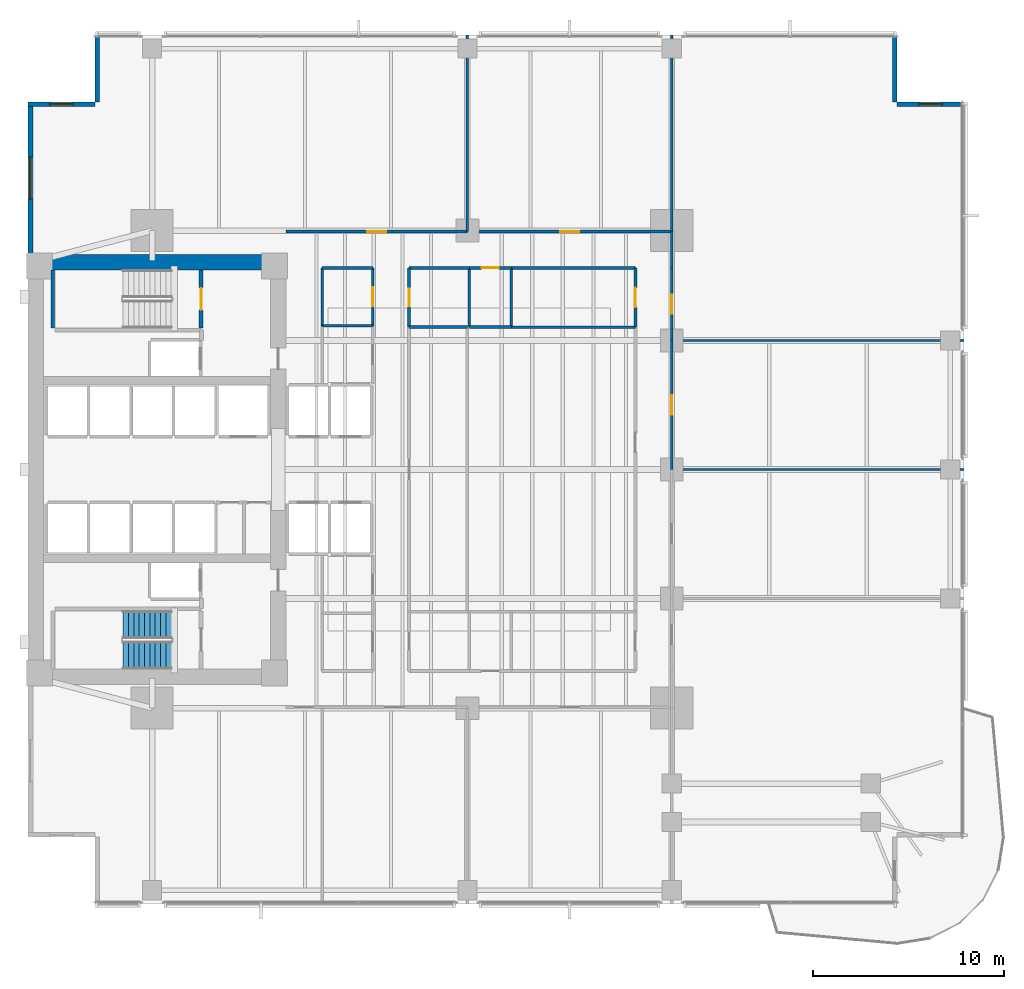
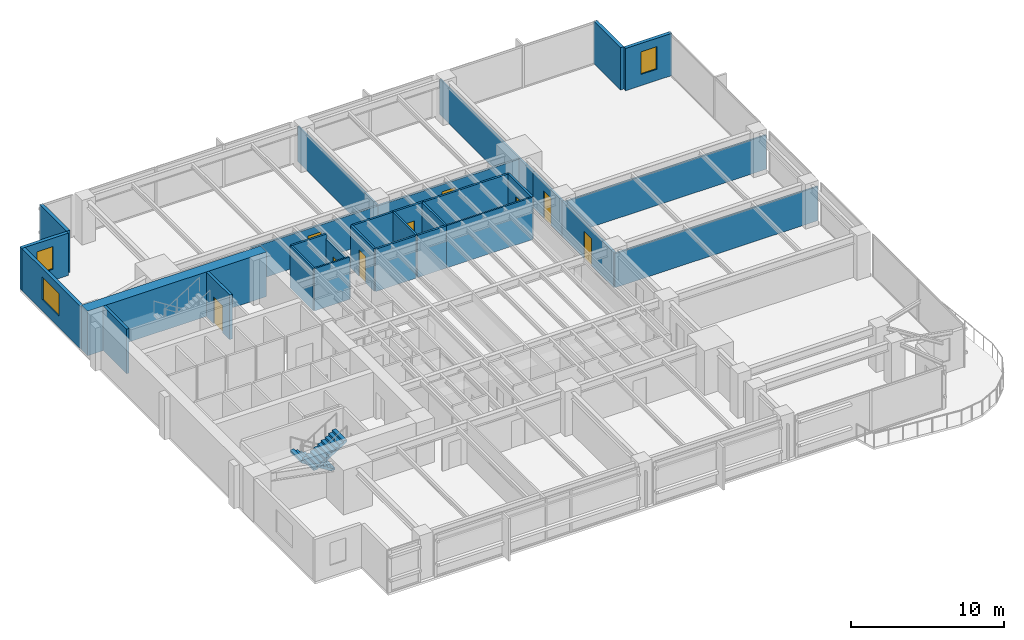
# One storey, part 10 of 15: 31 walls, 9 doors, 3 windows, 2 stair flights, 12 openings, 1 element without a shape of its own.
"""IFC4 building model written with IfcOpenShell, lengths in metres."""

from ifc_helpers import new_model, si_unit, direction, frame, frame_2d, origin, place, context, subcontext, project, spatial, polyline, rectangle, outline, extrude, material, layer, layer_set, type_object, element, fill, aggregate, save


model = new_model("IFC4")

# Units and contexts
model_context = context("Model", 3, precision=1e-05, world=origin(), true_north=direction((0.0, 1.0)))
body_context = subcontext(model_context, "Body", "Model", "MODEL_VIEW")
ifc_project = project(units=[si_unit("LENGTHUNIT", "METRE"), si_unit("AREAUNIT", "SQUARE_METRE"), si_unit("VOLUMEUNIT", "CUBIC_METRE"), si_unit("PLANEANGLEUNIT", "RADIAN"), si_unit("MASSUNIT", "GRAM", prefix="KILO")], contexts=[model_context])

# Site, building, storey
site_placement = place(None, origin())
site = spatial("IfcSite", under=ifc_project, at=site_placement, CompositionType="ELEMENT")
building_placement = place(site_placement, origin())
building = spatial("IfcBuilding", under=site, at=building_placement, Name="Kinhvarn Gate Tower", CompositionType="ELEMENT")
storey_placement = place(building_placement, frame((0.0, 0.0, 29.14990234375)))
storey = spatial("IfcBuildingStorey", under=building, at=storey_placement, Name="L06", CompositionType="ELEMENT", Elevation=29.14990234375)

# Wall
ifc_material_1 = material(Name="Concrete C70/85", Category="concrete")
ifc_layer_1 = layer(ifc_material_1, 0.800048828125)
ifc_layer_set_1 = layer_set([ifc_layer_1], Name="Concrete C70/85")
wall_type_1 = type_object("IfcWallType", Name="WL-CORE-800", PredefinedType="SHEAR", material=ifc_layer_set_1)
wall_1_placement = place(storey_placement, frame((4.5, 36.10009765625, 0.0), z_axis=(0.0, 0.0, 1.0), x_axis=(1.0, 0.0, 0.0)))
element("IfcWall", 1, at=wall_1_placement, inside=storey, type_object=wall_type_1, Name="Core North Shear Wall L06 800 mm", PredefinedType="SHEAR", context=body_context, shape_type="SweptSolid", body=[
    extrude(rectangle(XDim=13.5, YDim=0.800048828125, at=frame_2d((6.75, 0.0))), origin(), (0.0, 0.0, 1.0), 3.550048828125),
])

# Wall, opening, window
ifc_material_2 = material(Name="Fired architectural terracotta", Category="masonry")
ifc_layer_2 = layer(ifc_material_2, 0.25)
ifc_layer_set_2 = layer_set([ifc_layer_2], Name="Fired architectural terracotta")
wall_type_2 = type_object("IfcWallType", Name="WL-EXT-250", PredefinedType="SOLIDWALL", material=ifc_layer_set_2)
wall_2_placement = place(storey_placement, frame((4.625, 44.5, 0.0), z_axis=(0.0, 0.0, 1.0), x_axis=(0.0, -1.0, 0.0)))
wall_2 = element("IfcWall", 2, at=wall_2_placement, inside=storey, type_object=wall_type_2, Name="Exterior Solidwall Wall EW-250 (L06 West-North)", PredefinedType="SOLIDWALL", context=body_context, shape_type="SweptSolid", body=[
    extrude(rectangle(XDim=8.0, YDim=0.25, at=frame_2d((4.0, 0.0))), origin(), (0.0, 0.0, 1.0), 3.3701171875),
])
opening_1_placement = place(wall_2_placement, frame((2.89990234375, 0.0, 0.89990234375)))
opening_1 = element("IfcOpeningElement", 3, at=opening_1_placement, cuts=wall_2, Name="Opening WN-01", PredefinedType="OPENING", context=body_context, shape_type="SweptSolid", body=[
    extrude(rectangle(XDim=2.199951171875, YDim=1.800048828125, at=frame_2d((1.10009765625, 0.89990234375))), frame((0.0, 0.135009765625, 0.0), z_axis=(0.0, -1.0, 0.0), x_axis=(1.0, 0.0, 0.0)), (0.0, 0.0, 1.0), 0.27001953125),
])
ifc_material_3 = material(Name="Clear low-e double glazing", Category="glass")
window_type_1 = type_object("IfcWindowType", Name="WIN-RIB-2200", PartitioningType="SINGLE_PANEL", PredefinedType="WINDOW", material=ifc_material_3)
window_1_placement = place(opening_1_placement, origin())
window_1 = element("IfcWindow", 4, at=window_1_placement, inside=storey, type_object=window_type_1, Name="West Flank Double-Glazed Ribbon Window 2200x1800 mm (L06)", OverallHeight=1.800048828125, OverallWidth=2.199951171875, PartitioningType="SINGLE_PANEL", PredefinedType="WINDOW", context=body_context, shape_type="SweptSolid", body=[
    extrude(rectangle(XDim=2.199951171875, YDim=1.800048828125, at=frame_2d((1.10009765625, 0.89990234375))), frame((0.0, 0.030029296875, 0.0), z_axis=(0.0, -1.0, 0.0), x_axis=(1.0, 0.0, 0.0)), (0.0, 0.0, 1.0), 0.06005859375),
])
fill(opening_1, window_1)

wall_3_placement = place(storey_placement, frame((53.5, 44.375, 0.0), z_axis=(0.0, 0.0, 1.0), x_axis=(-1.0, 0.0, 0.0)))
wall_3 = element("IfcWall", 5, at=wall_3_placement, inside=storey, type_object=wall_type_2, Name="Exterior Solidwall Wall EW-250 (L06 NE-Notch-1)", PredefinedType="SOLIDWALL", context=body_context, shape_type="SweptSolid", body=[
    extrude(rectangle(XDim=3.5, YDim=0.25, at=frame_2d((1.75, 0.0))), origin(), (0.0, 0.0, 1.0), 3.3701171875),
])
opening_2_placement = place(wall_3_placement, frame((1.14990234375, 0.0, 0.89990234375)))
opening_2 = element("IfcOpeningElement", 6, at=opening_2_placement, cuts=wall_3, Name="Opening WN-02", PredefinedType="OPENING", context=body_context, shape_type="SweptSolid", body=[
    extrude(rectangle(XDim=1.199951171875, YDim=1.800048828125, at=frame_2d((0.60009765625, 0.89990234375))), frame((0.0, 0.135009765625, 0.0), z_axis=(0.0, -1.0, 0.0), x_axis=(1.0, 0.0, 0.0)), (0.0, 0.0, 1.0), 0.27001953125),
])
window_type_2 = type_object("IfcWindowType", Name="WIN-NTC-1200", PartitioningType="SINGLE_PANEL", PredefinedType="WINDOW", material=ifc_material_3)
window_2_placement = place(opening_2_placement, origin())
window_2 = element("IfcWindow", 7, at=window_2_placement, inside=storey, type_object=window_type_2, Name="Recessed Corner Notch Punched Window 1200x1800 mm (L06)", OverallHeight=1.800048828125, OverallWidth=1.199951171875, PartitioningType="SINGLE_PANEL", PredefinedType="WINDOW", context=body_context, shape_type="SweptSolid", body=[
    extrude(rectangle(XDim=1.199951171875, YDim=1.800048828125, at=frame_2d((0.60009765625, 0.89990234375))), frame((0.0, 0.030029296875, 0.0), z_axis=(0.0, -1.0, 0.0), x_axis=(1.0, 0.0, 0.0)), (0.0, 0.0, 1.0), 0.06005859375),
])
fill(opening_2, window_2)

# Walls
for number, where, z_axis, x_axis, name in (
    (8, (49.875, 44.5, 0.0), (0.0, 0.0, 1.0), (0.0, 1.0, 0.0), "Exterior Solidwall Wall EW-250 (L06 NE-Notch-2)"),
    (9, (8.125, 48.0, 0.0), (0.0, 0.0, 1.0), (0.0, -1.0, 0.0), "Exterior Solidwall Wall EW-250 (L06 NW-Notch-1)"),
):
    element("IfcWall", number, at=place(storey_placement, frame(where, z_axis=z_axis, x_axis=x_axis)), inside=storey, type_object=wall_type_2, Name=name, PredefinedType="SOLIDWALL", context=body_context, shape_type="SweptSolid", body=[
        extrude(rectangle(XDim=3.5, YDim=0.25, at=frame_2d((1.75, 0.0))), origin(), (0.0, 0.0, 1.0), 3.3701171875),
    ])

# Wall, opening, window
wall_4_placement = place(storey_placement, frame((8.0, 44.375, 0.0), z_axis=(0.0, 0.0, 1.0), x_axis=(-1.0, 0.0, 0.0)))
wall_4 = element("IfcWall", 10, at=wall_4_placement, inside=storey, type_object=wall_type_2, Name="Exterior Solidwall Wall EW-250 (L06 NW-Notch-2)", PredefinedType="SOLIDWALL", context=body_context, shape_type="SweptSolid", body=[
    extrude(rectangle(XDim=3.5, YDim=0.25, at=frame_2d((1.75, 0.0))), origin(), (0.0, 0.0, 1.0), 3.3701171875),
])
opening_3_placement = place(wall_4_placement, frame((1.14990234375, 0.0, 0.89990234375)))
opening_3 = element("IfcOpeningElement", 11, at=opening_3_placement, cuts=wall_4, Name="Opening WN-02", PredefinedType="OPENING", context=body_context, shape_type="SweptSolid", body=[
    extrude(rectangle(XDim=1.199951171875, YDim=1.800048828125, at=frame_2d((0.60009765625, 0.89990234375))), frame((0.0, 0.135009765625, 0.0), z_axis=(0.0, -1.0, 0.0), x_axis=(1.0, 0.0, 0.0)), (0.0, 0.0, 1.0), 0.27001953125),
])
window_3_placement = place(opening_3_placement, origin())
window_3 = element("IfcWindow", 12, at=window_3_placement, inside=storey, type_object=window_type_2, Name="Recessed Corner Notch Punched Window 1200x1800 mm (L06)", OverallHeight=1.800048828125, OverallWidth=1.199951171875, PartitioningType="SINGLE_PANEL", PredefinedType="WINDOW", context=body_context, shape_type="SweptSolid", body=[
    extrude(rectangle(XDim=1.199951171875, YDim=1.800048828125, at=frame_2d((0.60009765625, 0.89990234375))), frame((0.0, 0.030029296875, 0.0), z_axis=(0.0, -1.0, 0.0), x_axis=(1.0, 0.0, 0.0)), (0.0, 0.0, 1.0), 0.06005859375),
])
fill(opening_3, window_3)

# Walls
ifc_material_4 = material(Name="Gypsum acoustic partition board")
ifc_layer_3 = layer(ifc_material_4, 0.14990234375)
ifc_layer_set_3 = layer_set([ifc_layer_3], Name="Gypsum acoustic partition board")
wall_type_3 = type_object("IfcWallType", Name="WL-PLM-150", PredefinedType="PLUMBINGWALL", material=ifc_layer_set_3)
wall_5_placement = place(storey_placement, frame((27.60009765625, 32.699951171875, 0.0), z_axis=(0.0, 0.0, 1.0), x_axis=(0.0, 1.0, 0.0)))
element("IfcWall", 13, at=wall_5_placement, inside=storey, type_object=wall_type_3, Name="Interior Partition PLW-150 (L06)", PredefinedType="PLUMBINGWALL", context=body_context, shape_type="SweptSolid", body=[
    extrude(rectangle(XDim=3.10009765625, YDim=0.14990234375, at=frame_2d((1.550048828125, 0.0))), origin(), (0.0, 0.0, 1.0), 3.3701171875),
])
wall_6_placement = place(storey_placement, frame((24.449951171875, 32.699951171875, 0.0), z_axis=(0.0, 0.0, 1.0), x_axis=(1.0, 0.0, 0.0)))
element("IfcWall", 14, at=wall_6_placement, inside=storey, type_object=wall_type_3, Name="Interior Partition PLW-150 (L06)", PredefinedType="PLUMBINGWALL", context=body_context, shape_type="SweptSolid", body=[
    extrude(rectangle(XDim=3.050048828125, YDim=0.14990234375, at=frame_2d((1.52490234375, 0.0))), origin(), (0.0, 0.0, 1.0), 3.3701171875),
])
wall_7_placement = place(storey_placement, frame((29.800048828125, 32.699951171875, 0.0), z_axis=(0.0, 0.0, 1.0), x_axis=(0.0, 1.0, 0.0)))
element("IfcWall", 15, at=wall_7_placement, inside=storey, type_object=wall_type_3, Name="Interior Partition PLW-150 (L06)", PredefinedType="PLUMBINGWALL", context=body_context, shape_type="SweptSolid", body=[
    extrude(rectangle(XDim=3.10009765625, YDim=0.14990234375, at=frame_2d((1.550048828125, 0.0))), origin(), (0.0, 0.0, 1.0), 3.3701171875),
])
wall_8_placement = place(storey_placement, frame((27.60009765625, 32.699951171875, 0.0), z_axis=(0.0, 0.0, 1.0), x_axis=(1.0, 0.0, 0.0)))
element("IfcWall", 16, at=wall_8_placement, inside=storey, type_object=wall_type_3, Name="Interior Partition PLW-150 (L06)", PredefinedType="PLUMBINGWALL", context=body_context, shape_type="SweptSolid", body=[
    extrude(rectangle(XDim=2.199951171875, YDim=0.14990234375, at=frame_2d((1.10009765625, 0.0))), origin(), (0.0, 0.0, 1.0), 3.3701171875),
])

# Wall, opening, door
ifc_layer_4 = layer(ifc_material_4, 0.14990234375)
ifc_layer_set_4 = layer_set([ifc_layer_4], Name="Gypsum acoustic partition board")
wall_type_4 = type_object("IfcWallType", Name="WL-PLM-150F", PredefinedType="PLUMBINGWALL", material=ifc_layer_set_4)
wall_9_placement = place(storey_placement, frame((24.449951171875, 32.699951171875, 0.0), z_axis=(0.0, 0.0, 1.0), x_axis=(0.0, 1.0, 0.0)))
wall_9 = element("IfcWall", 17, at=wall_9_placement, inside=storey, type_object=wall_type_4, Name="Interior Partition PLW-150F (L06)", PredefinedType="PLUMBINGWALL", context=body_context, shape_type="SweptSolid", body=[
    extrude(rectangle(XDim=3.10009765625, YDim=0.14990234375, at=frame_2d((1.550048828125, 0.0))), origin(), (0.0, 0.0, 1.0), 3.3701171875),
])
opening_4_placement = place(wall_9_placement, frame((1.10009765625, 0.0, 0.0)))
opening_4 = element("IfcOpeningElement", 18, at=opening_4_placement, cuts=wall_9, Name="Opening FD-04", PredefinedType="OPENING", context=body_context, shape_type="SweptSolid", body=[
    extrude(rectangle(XDim=0.89990234375, YDim=2.10009765625, at=frame_2d((0.449951171875, 1.050048828125))), frame((0.0, 0.0849609375, 0.0), z_axis=(0.0, -1.0, 0.0), x_axis=(1.0, 0.0, 0.0)), (0.0, 0.0, 1.0), 0.169921875),
])
ifc_material_5 = material(Name="Anodised aluminium AW-6063", Category="aluminium")
door_type_1 = type_object("IfcDoorType", Name="DR-FD-900", OperationType="NOTDEFINED", PredefinedType="DOOR", material=ifc_material_5)
door_1_placement = place(opening_4_placement, origin())
door_1 = element("IfcDoor", 19, at=door_1_placement, inside=storey, type_object=door_type_1, Name="Rated Riser & Service Closet Fire Door 900x2100 mm (L06)", OperationType="SINGLE_SWING_LEFT", OverallHeight=2.10009765625, OverallWidth=0.89990234375, PredefinedType="DOOR", context=body_context, shape_type="SweptSolid", body=[
    extrude(rectangle(XDim=0.89990234375, YDim=2.10009765625, at=frame_2d((0.449951171875, 1.050048828125))), frame((0.0, 0.02490234375, 0.0), z_axis=(0.0, -1.0, 0.0), x_axis=(1.0, 0.0, 0.0)), (0.0, 0.0, 1.0), 0.050048828125),
])
fill(opening_4, door_1)

# Wall
wall_10_placement = place(storey_placement, frame((24.449951171875, 35.800048828125, 0.0), z_axis=(0.0, 0.0, 1.0), x_axis=(1.0, 0.0, 0.0)))
element("IfcWall", 20, at=wall_10_placement, inside=storey, type_object=wall_type_4, Name="Interior Partition PLW-150F (L06)", PredefinedType="PLUMBINGWALL", context=body_context, shape_type="SweptSolid", body=[
    extrude(rectangle(XDim=3.150146484375, YDim=0.14990234375, at=frame_2d((1.5751953125, 0.0))), origin(), (0.0, 0.0, 1.0), 3.3701171875),
])

# Wall, opening, door
wall_11_placement = place(storey_placement, frame((27.60009765625, 35.800048828125, 0.0), z_axis=(0.0, 0.0, 1.0), x_axis=(1.0, 0.0, 0.0)))
wall_11 = element("IfcWall", 21, at=wall_11_placement, inside=storey, type_object=wall_type_4, Name="Interior Partition PLW-150F (L06)", PredefinedType="PLUMBINGWALL", context=body_context, shape_type="SweptSolid", body=[
    extrude(rectangle(XDim=2.199951171875, YDim=0.14990234375, at=frame_2d((1.10009765625, 0.0))), origin(), (0.0, 0.0, 1.0), 3.3701171875),
])
opening_5_placement = place(wall_11_placement, frame((0.64990234375, 0.0, 0.0)))
opening_5 = element("IfcOpeningElement", 22, at=opening_5_placement, cuts=wall_11, Name="Opening FD-04", PredefinedType="OPENING", context=body_context, shape_type="SweptSolid", body=[
    extrude(rectangle(XDim=0.89990234375, YDim=2.10009765625, at=frame_2d((0.449951171875, 1.050048828125))), frame((0.0, 0.0849609375, 0.0), z_axis=(0.0, -1.0, 0.0), x_axis=(1.0, 0.0, 0.0)), (0.0, 0.0, 1.0), 0.169921875),
])
door_2_placement = place(opening_5_placement, origin())
door_2 = element("IfcDoor", 23, at=door_2_placement, inside=storey, type_object=door_type_1, Name="Rated Riser & Service Closet Fire Door 900x2100 mm (L06)", OperationType="SINGLE_SWING_LEFT", OverallHeight=2.10009765625, OverallWidth=0.89990234375, PredefinedType="DOOR", context=body_context, shape_type="SweptSolid", body=[
    extrude(rectangle(XDim=0.89990234375, YDim=2.10009765625, at=frame_2d((0.449951171875, 1.050048828125))), frame((0.0, 0.02490234375, 0.0), z_axis=(0.0, -1.0, 0.0), x_axis=(1.0, 0.0, 0.0)), (0.0, 0.0, 1.0), 0.050048828125),
])
fill(opening_5, door_2)

# Walls
ifc_layer_5 = layer(ifc_material_4, 0.1201171875)
ifc_layer_set_5 = layer_set([ifc_layer_5], Name="Gypsum acoustic partition board")
wall_type_5 = type_object("IfcWallType", Name="WL-PRT-120", PredefinedType="PARTITIONING", material=ifc_layer_set_5)
wall_12_placement = place(storey_placement, frame((19.89990234375, 32.77001953125, 0.0), z_axis=(0.0, 0.0, 1.0), x_axis=(1.0, 0.0, 0.0)))
element("IfcWall", 24, at=wall_12_placement, inside=storey, type_object=wall_type_5, Name="Interior Partition PW-120 (L06)", PredefinedType="PARTITIONING", context=body_context, shape_type="SweptSolid", body=[
    extrude(rectangle(XDim=2.650146484375, YDim=0.1201171875, at=frame_2d((1.3251953125, 0.0))), origin(), (0.0, 0.0, 1.0), 3.3701171875),
])
wall_13_placement = place(storey_placement, frame((29.800048828125, 32.699951171875, 0.0), z_axis=(0.0, 0.0, 1.0), x_axis=(1.0, 0.0, 0.0)))
element("IfcWall", 25, at=wall_13_placement, inside=storey, type_object=wall_type_5, Name="Interior Partition PW-120 (L06)", PredefinedType="PARTITIONING", context=body_context, shape_type="SweptSolid", body=[
    extrude(rectangle(XDim=6.5, YDim=0.1201171875, at=frame_2d((3.25, 0.0))), origin(), (0.0, 0.0, 1.0), 3.3701171875),
])
for number, where, z_axis, x_axis, name in (
    (26, (27.5, 37.699951171875, 0.0), (0.0, 0.0, 1.0), (0.0, 1.0, 0.0), "Interior Partition PW-120 (L06)"),
    (27, (38.199951171875, 37.699951171875, 0.0), (0.0, 0.0, 1.0), (0.0, 1.0, 0.0), "Interior Partition PW-120 (L06)"),
):
    element("IfcWall", number, at=place(storey_placement, frame(where, z_axis=z_axis, x_axis=x_axis)), inside=storey, type_object=wall_type_5, Name=name, PredefinedType="PARTITIONING", context=body_context, shape_type="SweptSolid", body=[
        extrude(rectangle(XDim=10.2900390625, YDim=0.1201171875, at=frame_2d((5.14501953125, 0.0))), origin(), (0.0, 0.0, 1.0), 2.820068359375),
    ])
for number, where, z_axis, x_axis, name in (
    (28, (38.199951171875, 25.25, 0.0), (0.0, 0.0, 1.0), (1.0, 0.0, 0.0), "Interior Partition PW-120 (L06)"),
    (29, (38.199951171875, 32.0, 0.0), (0.0, 0.0, 1.0), (1.0, 0.0, 0.0), "Interior Partition PW-120 (L06)"),
):
    element("IfcWall", number, at=place(storey_placement, frame(where, z_axis=z_axis, x_axis=x_axis)), inside=storey, type_object=wall_type_5, Name=name, PredefinedType="PARTITIONING", context=body_context, shape_type="SweptSolid", body=[
        extrude(rectangle(XDim=15.2900390625, YDim=0.1201171875, at=frame_2d((7.64501953125, 0.0))), origin(), (0.0, 0.0, 1.0), 2.72021484375),
    ])

# Wall, opening, door
ifc_layer_6 = layer(ifc_material_4, 0.14990234375)
ifc_layer_set_6 = layer_set([ifc_layer_6], Name="Gypsum acoustic partition board")
wall_type_6 = type_object("IfcWallType", Name="WL-PRT-150F", PredefinedType="PARTITIONING", material=ifc_layer_set_6)
wall_14_placement = place(storey_placement, frame((22.550048828125, 32.77001953125, 0.0), z_axis=(0.0, 0.0, 1.0), x_axis=(0.0, 1.0, 0.0)))
wall_14 = element("IfcWall", 30, at=wall_14_placement, inside=storey, type_object=wall_type_6, Name="Interior Partition PW-150F (L06)", PredefinedType="PARTITIONING", context=body_context, shape_type="SweptSolid", body=[
    extrude(rectangle(XDim=3.030029296875, YDim=0.14990234375, at=frame_2d((1.51513671875, 0.0))), origin(), (0.0, 0.0, 1.0), 3.010009765625),
])
opening_6_placement = place(wall_14_placement, frame((1.014892578125, 0.0, 0.0)))
opening_6 = element("IfcOpeningElement", 31, at=opening_6_placement, cuts=wall_14, Name="Opening ID-02", PredefinedType="OPENING", context=body_context, shape_type="SweptSolid", body=[
    extrude(rectangle(XDim=1.0, YDim=2.14990234375, at=frame_2d((0.5, 1.074951171875))), frame((0.0, 0.0849609375, 0.0), z_axis=(0.0, -1.0, 0.0), x_axis=(1.0, 0.0, 0.0)), (0.0, 0.0, 1.0), 0.169921875),
])
door_type_2 = type_object("IfcDoorType", Name="DR-INT-1000", OperationType="NOTDEFINED", PredefinedType="DOOR", material=ifc_material_5)
door_3_placement = place(opening_6_placement, origin())
door_3 = element("IfcDoor", 32, at=door_3_placement, inside=storey, type_object=door_type_2, Name="Standard Office & Meeting Room Door 1000x2150 mm (L06)", OperationType="SINGLE_SWING_LEFT", OverallHeight=2.14990234375, OverallWidth=1.0, PredefinedType="DOOR", context=body_context, shape_type="SweptSolid", body=[
    extrude(rectangle(XDim=1.0, YDim=2.14990234375, at=frame_2d((0.5, 1.074951171875))), frame((0.0, 0.02490234375, 0.0), z_axis=(0.0, -1.0, 0.0), x_axis=(1.0, 0.0, 0.0)), (0.0, 0.0, 1.0), 0.050048828125),
])
fill(opening_6, door_3)

# Walls
wall_15_placement = place(storey_placement, frame((19.89990234375, 32.77001953125, 0.0), z_axis=(0.0, 0.0, 1.0), x_axis=(0.0, 1.0, 0.0)))
element("IfcWall", 33, at=wall_15_placement, inside=storey, type_object=wall_type_6, Name="Interior Partition PW-150F (L06)", PredefinedType="PARTITIONING", context=body_context, shape_type="SweptSolid", body=[
    extrude(rectangle(XDim=3.030029296875, YDim=0.14990234375, at=frame_2d((1.51513671875, 0.0))), origin(), (0.0, 0.0, 1.0), 3.3701171875),
])
wall_16_placement = place(storey_placement, frame((19.89990234375, 35.800048828125, 0.0), z_axis=(0.0, 0.0, 1.0), x_axis=(1.0, 0.0, 0.0)))
element("IfcWall", 34, at=wall_16_placement, inside=storey, type_object=wall_type_6, Name="Interior Partition PW-150F (L06)", PredefinedType="PARTITIONING", context=body_context, shape_type="SweptSolid", body=[
    extrude(rectangle(XDim=2.650146484375, YDim=0.14990234375, at=frame_2d((1.3251953125, 0.0))), origin(), (0.0, 0.0, 1.0), 3.3701171875),
])
wall_17_placement = place(storey_placement, frame((29.800048828125, 35.800048828125, 0.0), z_axis=(0.0, 0.0, 1.0), x_axis=(1.0, 0.0, 0.0)))
element("IfcWall", 35, at=wall_17_placement, inside=storey, type_object=wall_type_6, Name="Interior Partition PW-150F (L06)", PredefinedType="PARTITIONING", context=body_context, shape_type="SweptSolid", body=[
    extrude(rectangle(XDim=6.5, YDim=0.14990234375, at=frame_2d((3.25, 0.0))), origin(), (0.0, 0.0, 1.0), 3.3701171875),
])

# Wall, opening, door
wall_18_placement = place(storey_placement, frame((18.0, 37.699951171875, 0.0), z_axis=(0.0, 0.0, 1.0), x_axis=(1.0, 0.0, 0.0)))
wall_18 = element("IfcWall", 36, at=wall_18_placement, inside=storey, type_object=wall_type_6, Name="Interior Partition PW-150F (L06)", PredefinedType="PARTITIONING", context=body_context, shape_type="SweptSolid", body=[
    extrude(rectangle(XDim=9.5, YDim=0.14990234375, at=frame_2d((4.75, 0.0))), origin(), (0.0, 0.0, 1.0), 2.72021484375),
])
opening_7_placement = place(wall_18_placement, frame((4.25, 0.0, 0.0)))
opening_7 = element("IfcOpeningElement", 37, at=opening_7_placement, cuts=wall_18, Name="Opening ID-02", PredefinedType="OPENING", context=body_context, shape_type="SweptSolid", body=[
    extrude(rectangle(XDim=1.0, YDim=2.14990234375, at=frame_2d((0.5, 1.074951171875))), frame((0.0, 0.0849609375, 0.0), z_axis=(0.0, -1.0, 0.0), x_axis=(1.0, 0.0, 0.0)), (0.0, 0.0, 1.0), 0.169921875),
])
door_4_placement = place(opening_7_placement, origin())
door_4 = element("IfcDoor", 38, at=door_4_placement, inside=storey, type_object=door_type_2, Name="Standard Office & Meeting Room Door 1000x2150 mm (L06)", OperationType="SINGLE_SWING_RIGHT", OverallHeight=2.14990234375, OverallWidth=1.0, PredefinedType="DOOR", context=body_context, shape_type="SweptSolid", body=[
    extrude(rectangle(XDim=1.0, YDim=2.14990234375, at=frame_2d((0.5, 1.074951171875))), frame((0.0, 0.02490234375, 0.0), z_axis=(0.0, -1.0, 0.0), x_axis=(1.0, 0.0, 0.0)), (0.0, 0.0, 1.0), 0.050048828125),
])
fill(opening_7, door_4)

wall_19_placement = place(storey_placement, frame((27.5, 37.699951171875, 0.0), z_axis=(0.0, 0.0, 1.0), x_axis=(1.0, 0.0, 0.0)))
wall_19 = element("IfcWall", 39, at=wall_19_placement, inside=storey, type_object=wall_type_6, Name="Interior Partition PW-150F (L06)", PredefinedType="PARTITIONING", context=body_context, shape_type="SweptSolid", body=[
    extrude(rectangle(XDim=10.699951171875, YDim=0.14990234375, at=frame_2d((5.35009765625, 0.0))), origin(), (0.0, 0.0, 1.0), 2.72021484375),
])
opening_8_placement = place(wall_19_placement, frame((4.85009765625, 0.0, 0.0)))
opening_8 = element("IfcOpeningElement", 40, at=opening_8_placement, cuts=wall_19, Name="Opening ID-02", PredefinedType="OPENING", context=body_context, shape_type="SweptSolid", body=[
    extrude(rectangle(XDim=1.0, YDim=2.14990234375, at=frame_2d((0.5, 1.074951171875))), frame((0.0, 0.0849609375, 0.0), z_axis=(0.0, -1.0, 0.0), x_axis=(1.0, 0.0, 0.0)), (0.0, 0.0, 1.0), 0.169921875),
])
door_5_placement = place(opening_8_placement, origin())
door_5 = element("IfcDoor", 41, at=door_5_placement, inside=storey, type_object=door_type_2, Name="Standard Office & Meeting Room Door 1000x2150 mm (L06)", OperationType="SINGLE_SWING_LEFT", OverallHeight=2.14990234375, OverallWidth=1.0, PredefinedType="DOOR", context=body_context, shape_type="SweptSolid", body=[
    extrude(rectangle(XDim=1.0, YDim=2.14990234375, at=frame_2d((0.5, 1.074951171875))), frame((0.0, 0.02490234375, 0.0), z_axis=(0.0, -1.0, 0.0), x_axis=(1.0, 0.0, 0.0)), (0.0, 0.0, 1.0), 0.050048828125),
])
fill(opening_8, door_5)

# Wall
wall_20_placement = place(storey_placement, frame((38.199951171875, 35.800048828125, 0.0), z_axis=(0.0, 0.0, 1.0), x_axis=(0.0, 1.0, 0.0)))
element("IfcWall", 42, at=wall_20_placement, inside=storey, type_object=wall_type_6, Name="Interior Partition PW-150F (L06)", PredefinedType="PARTITIONING", context=body_context, shape_type="SweptSolid", body=[
    extrude(rectangle(XDim=1.89990234375, YDim=0.14990234375, at=frame_2d((0.949951171875, 0.0))), origin(), (0.0, 0.0, 1.0), 2.820068359375),
])

# Wall, opening, door
wall_21_placement = place(storey_placement, frame((36.300048828125, 32.699951171875, 0.0), z_axis=(0.0, 0.0, 1.0), x_axis=(0.0, 1.0, 0.0)))
wall_21 = element("IfcWall", 43, at=wall_21_placement, inside=storey, type_object=wall_type_6, Name="Interior Partition PW-150F (L06)", PredefinedType="PARTITIONING", context=body_context, shape_type="SweptSolid", body=[
    extrude(rectangle(XDim=3.10009765625, YDim=0.14990234375, at=frame_2d((1.550048828125, 0.0))), origin(), (0.0, 0.0, 1.0), 3.3701171875),
])
opening_9_placement = place(wall_21_placement, frame((1.050048828125, 0.0, 0.0)))
opening_9 = element("IfcOpeningElement", 44, at=opening_9_placement, cuts=wall_21, Name="Opening ID-02", PredefinedType="OPENING", context=body_context, shape_type="SweptSolid", body=[
    extrude(rectangle(XDim=1.0, YDim=2.14990234375, at=frame_2d((0.5, 1.074951171875))), frame((0.0, 0.0849609375, 0.0), z_axis=(0.0, -1.0, 0.0), x_axis=(1.0, 0.0, 0.0)), (0.0, 0.0, 1.0), 0.169921875),
])
door_6_placement = place(opening_9_placement, origin())
door_6 = element("IfcDoor", 45, at=door_6_placement, inside=storey, type_object=door_type_2, Name="Standard Office & Meeting Room Door 1000x2150 mm (L06)", OperationType="SINGLE_SWING_LEFT", OverallHeight=2.14990234375, OverallWidth=1.0, PredefinedType="DOOR", context=body_context, shape_type="SweptSolid", body=[
    extrude(rectangle(XDim=1.0, YDim=2.14990234375, at=frame_2d((0.5, 1.074951171875))), frame((0.0, 0.02490234375, 0.0), z_axis=(0.0, -1.0, 0.0), x_axis=(1.0, 0.0, 0.0)), (0.0, 0.0, 1.0), 0.050048828125),
])
fill(opening_9, door_6)

wall_22_placement = place(storey_placement, frame((38.199951171875, 25.25, 0.0), z_axis=(0.0, 0.0, 1.0), x_axis=(0.0, 1.0, 0.0)))
wall_22 = element("IfcWall", 46, at=wall_22_placement, inside=storey, type_object=wall_type_6, Name="Interior Partition PW-150F (L06)", PredefinedType="PARTITIONING", context=body_context, shape_type="SweptSolid", body=[
    extrude(rectangle(XDim=6.75, YDim=0.14990234375, at=frame_2d((3.375, 0.0))), origin(), (0.0, 0.0, 1.0), 2.820068359375),
])
opening_10_placement = place(wall_22_placement, frame((2.875, 0.0, 0.0)))
opening_10 = element("IfcOpeningElement", 47, at=opening_10_placement, cuts=wall_22, Name="Opening ID-02", PredefinedType="OPENING", context=body_context, shape_type="SweptSolid", body=[
    extrude(rectangle(XDim=1.0, YDim=2.14990234375, at=frame_2d((0.5, 1.074951171875))), frame((0.0, 0.0849609375, 0.0), z_axis=(0.0, -1.0, 0.0), x_axis=(1.0, 0.0, 0.0)), (0.0, 0.0, 1.0), 0.169921875),
])
door_7_placement = place(opening_10_placement, origin())
door_7 = element("IfcDoor", 48, at=door_7_placement, inside=storey, type_object=door_type_2, Name="Standard Office & Meeting Room Door 1000x2150 mm (L06)", OperationType="SINGLE_SWING_LEFT", OverallHeight=2.14990234375, OverallWidth=1.0, PredefinedType="DOOR", context=body_context, shape_type="SweptSolid", body=[
    extrude(rectangle(XDim=1.0, YDim=2.14990234375, at=frame_2d((0.5, 1.074951171875))), frame((0.0, 0.02490234375, 0.0), z_axis=(0.0, -1.0, 0.0), x_axis=(1.0, 0.0, 0.0)), (0.0, 0.0, 1.0), 0.050048828125),
])
fill(opening_10, door_7)

wall_23_placement = place(storey_placement, frame((38.199951171875, 32.0, 0.0), z_axis=(0.0, 0.0, 1.0), x_axis=(0.0, 1.0, 0.0)))
wall_23 = element("IfcWall", 49, at=wall_23_placement, inside=storey, type_object=wall_type_6, Name="Interior Partition PW-150F (L06)", PredefinedType="PARTITIONING", context=body_context, shape_type="SweptSolid", body=[
    extrude(rectangle(XDim=3.800048828125, YDim=0.14990234375, at=frame_2d((1.89990234375, 0.0))), origin(), (0.0, 0.0, 1.0), 2.820068359375),
])
opening_11_placement = place(wall_23_placement, frame((1.39990234375, 0.0, 0.0)))
opening_11 = element("IfcOpeningElement", 50, at=opening_11_placement, cuts=wall_23, Name="Opening ID-02", PredefinedType="OPENING", context=body_context, shape_type="SweptSolid", body=[
    extrude(rectangle(XDim=1.0, YDim=2.14990234375, at=frame_2d((0.5, 1.074951171875))), frame((0.0, 0.0849609375, 0.0), z_axis=(0.0, -1.0, 0.0), x_axis=(1.0, 0.0, 0.0)), (0.0, 0.0, 1.0), 0.169921875),
])
door_8_placement = place(opening_11_placement, origin())
door_8 = element("IfcDoor", 51, at=door_8_placement, inside=storey, type_object=door_type_2, Name="Standard Office & Meeting Room Door 1000x2150 mm (L06)", OperationType="SINGLE_SWING_RIGHT", OverallHeight=2.14990234375, OverallWidth=1.0, PredefinedType="DOOR", context=body_context, shape_type="SweptSolid", body=[
    extrude(rectangle(XDim=1.0, YDim=2.14990234375, at=frame_2d((0.5, 1.074951171875))), frame((0.0, 0.02490234375, 0.0), z_axis=(0.0, -1.0, 0.0), x_axis=(1.0, 0.0, 0.0)), (0.0, 0.0, 1.0), 0.050048828125),
])
fill(opening_11, door_8)

# Wall
ifc_material_6 = material(Name="Concrete C40/50", Category="concrete")
ifc_layer_7 = layer(ifc_material_6, 0.199951171875)
ifc_layer_set_7 = layer_set([ifc_layer_7], Name="Concrete C40/50")
wall_type_7 = type_object("IfcWallType", Name="WL-SHF-200", PredefinedType="SOLIDWALL", material=ifc_layer_set_7)
wall_24_placement = place(storey_placement, frame((5.7900390625, 32.64990234375, 0.0), z_axis=(0.0, 0.0, 1.0), x_axis=(0.0, 1.0, 0.0)))
element("IfcWall", 52, at=wall_24_placement, inside=storey, type_object=wall_type_7, Name="Stair ST2 West Shaft Wall (L06)", PredefinedType="SOLIDWALL", context=body_context, shape_type="SweptSolid", body=[
    extrude(rectangle(XDim=3.050048828125, YDim=0.199951171875, at=frame_2d((1.52490234375, 0.0))), origin(), (0.0, 0.0, 1.0), 3.550048828125),
])

# Wall, opening, door
wall_25_placement = place(storey_placement, frame((13.56005859375, 32.64990234375, 0.0), z_axis=(0.0, 0.0, 1.0), x_axis=(0.0, 1.0, 0.0)))
wall_25 = element("IfcWall", 53, at=wall_25_placement, inside=storey, type_object=wall_type_7, Name="Stair ST2 East Entry Wall (L06)", PredefinedType="SOLIDWALL", context=body_context, shape_type="SweptSolid", body=[
    extrude(rectangle(XDim=3.050048828125, YDim=0.199951171875, at=frame_2d((1.52490234375, 0.0))), origin(), (0.0, 0.0, 1.0), 3.550048828125),
])
opening_12_placement = place(wall_25_placement, frame((0.949951171875, 0.0, 0.0)))
opening_12 = element("IfcOpeningElement", 54, at=opening_12_placement, cuts=wall_25, Name="Opening FD-01", PredefinedType="OPENING", context=body_context, shape_type="SweptSolid", body=[
    extrude(rectangle(XDim=1.14990234375, YDim=2.14990234375, at=frame_2d((0.574951171875, 1.074951171875))), frame((0.0, 0.10986328125, 0.0), z_axis=(0.0, -1.0, 0.0), x_axis=(1.0, 0.0, 0.0)), (0.0, 0.0, 1.0), 0.219970703125),
])
door_type_3 = type_object("IfcDoorType", Name="DR-ST-1150", OperationType="NOTDEFINED", PredefinedType="DOOR", material=ifc_material_5)
door_9_placement = place(opening_12_placement, origin())
door_9 = element("IfcDoor", 55, at=door_9_placement, inside=storey, type_object=door_type_3, Name="Exit Stair ST2 Fire Door (L06)", OperationType="SINGLE_SWING_LEFT", OverallHeight=2.14990234375, OverallWidth=1.14990234375, PredefinedType="DOOR", context=body_context, shape_type="SweptSolid", body=[
    extrude(rectangle(XDim=1.14990234375, YDim=2.14990234375, at=frame_2d((0.574951171875, 1.074951171875))), frame((0.0, 0.02490234375, 0.0), z_axis=(0.0, -1.0, 0.0), x_axis=(1.0, 0.0, 0.0)), (0.0, 0.0, 1.0), 0.050048828125),
])
fill(opening_12, door_9)

# Stair, stair flights
stair_type = type_object("IfcStairType", Name="STR-DLG-178", PredefinedType="HALF_TURN_STAIR", material=ifc_material_6)
stair_placement = place(storey_placement, origin())
stair = element("IfcStair", 56, at=stair_placement, inside=storey, type_object=stair_type, Name="L06 Core Smokeproof Exit Stair ST1", PredefinedType="HALF_TURN_STAIR")
stair_flight_type = type_object("IfcStairFlightType", Name="STF-DLG-178", PredefinedType="STRAIGHT", material=ifc_material_6)
stair_flight_1_placement = place(storey_placement, frame((12.0, 17.125, 0.0), z_axis=(0.0, 0.0, 1.0), x_axis=(-1.0, 0.0, 0.0)))
stair_flight_1 = element("IfcStairFlight", 57, at=stair_flight_1_placement, type_object=stair_flight_type, Name="ST1 flight 1", NumberOfRisers=10, NumberOfTreads=9, PredefinedType="STRAIGHT", RiserHeight=0.1775, TreadLength=0.28, context=body_context, shape_type="SweptSolid", body=[
    extrude(outline(polyline([(0.0, 0.0), (0.0, 0.177490234375), (0.280029296875, 0.177490234375), (0.280029296875, 0.35498046875), (0.56005859375, 0.35498046875), (0.56005859375, 0.532470703125), (0.840087890625, 0.532470703125), (0.840087890625, 0.7099609375), (1.1201171875, 0.7099609375), (1.1201171875, 0.887451171875), (1.39990234375, 0.887451171875), (1.39990234375, 1.06494140625), (1.679931640625, 1.06494140625), (1.679931640625, 1.242431640625), (1.9599609375, 1.242431640625), (1.9599609375, 1.419921875), (2.239990234375, 1.419921875), (2.239990234375, 1.597412109375), (2.52001953125, 1.597412109375), (2.52001953125, 1.77490234375), (2.52001953125, 1.419921875), (0.280029296875, 0.0), (0.0, 0.0)])), frame((0.0, 0.72509765625, 0.0), z_axis=(0.0, -1.0, 0.0), x_axis=(1.0, 0.0, 0.0)), (0.0, 0.0, 1.0), 1.449951171875),
])
stair_flight_2_placement = place(storey_placement, frame((9.47998046875, 15.52490234375, 1.775146484375), z_axis=(0.0, 0.0, 1.0), x_axis=(1.0, 0.0, 0.0)))
stair_flight_2 = element("IfcStairFlight", 58, at=stair_flight_2_placement, type_object=stair_flight_type, Name="ST1 flight 2", NumberOfRisers=10, NumberOfTreads=9, PredefinedType="STRAIGHT", RiserHeight=0.1775, TreadLength=0.28, context=body_context, shape_type="SweptSolid", body=[
    extrude(outline(polyline([(0.0, 0.0), (0.0, 0.177490234375), (0.280029296875, 0.177490234375), (0.280029296875, 0.35498046875), (0.56005859375, 0.35498046875), (0.56005859375, 0.532470703125), (0.840087890625, 0.532470703125), (0.840087890625, 0.7099609375), (1.1201171875, 0.7099609375), (1.1201171875, 0.887451171875), (1.39990234375, 0.887451171875), (1.39990234375, 1.06494140625), (1.679931640625, 1.06494140625), (1.679931640625, 1.242431640625), (1.9599609375, 1.242431640625), (1.9599609375, 1.419921875), (2.239990234375, 1.419921875), (2.239990234375, 1.597412109375), (2.52001953125, 1.597412109375), (2.52001953125, 1.77490234375), (2.52001953125, 1.419921875), (0.280029296875, 0.0), (0.0, 0.0)])), frame((0.0, 0.72509765625, 0.0), z_axis=(0.0, -1.0, 0.0), x_axis=(1.0, 0.0, 0.0)), (0.0, 0.0, 1.0), 1.449951171875),
])
aggregate(stair, [stair_flight_1, stair_flight_2])

save(model, "model.ifc")
